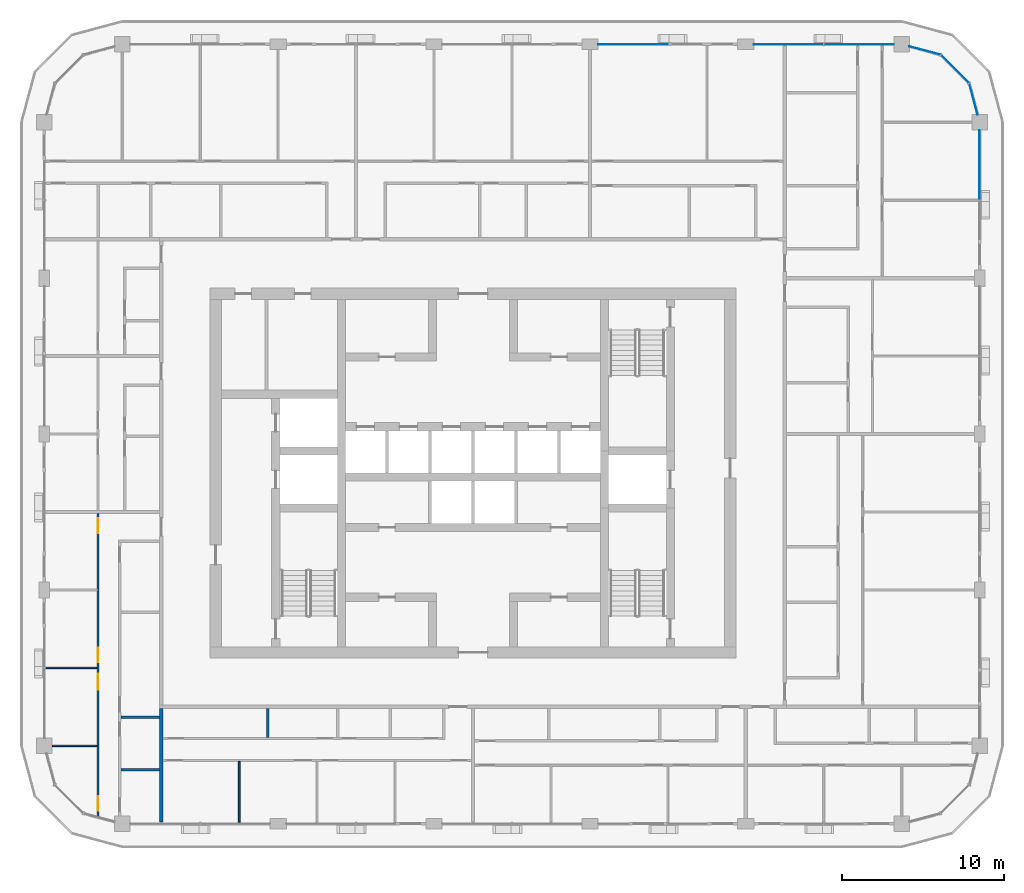
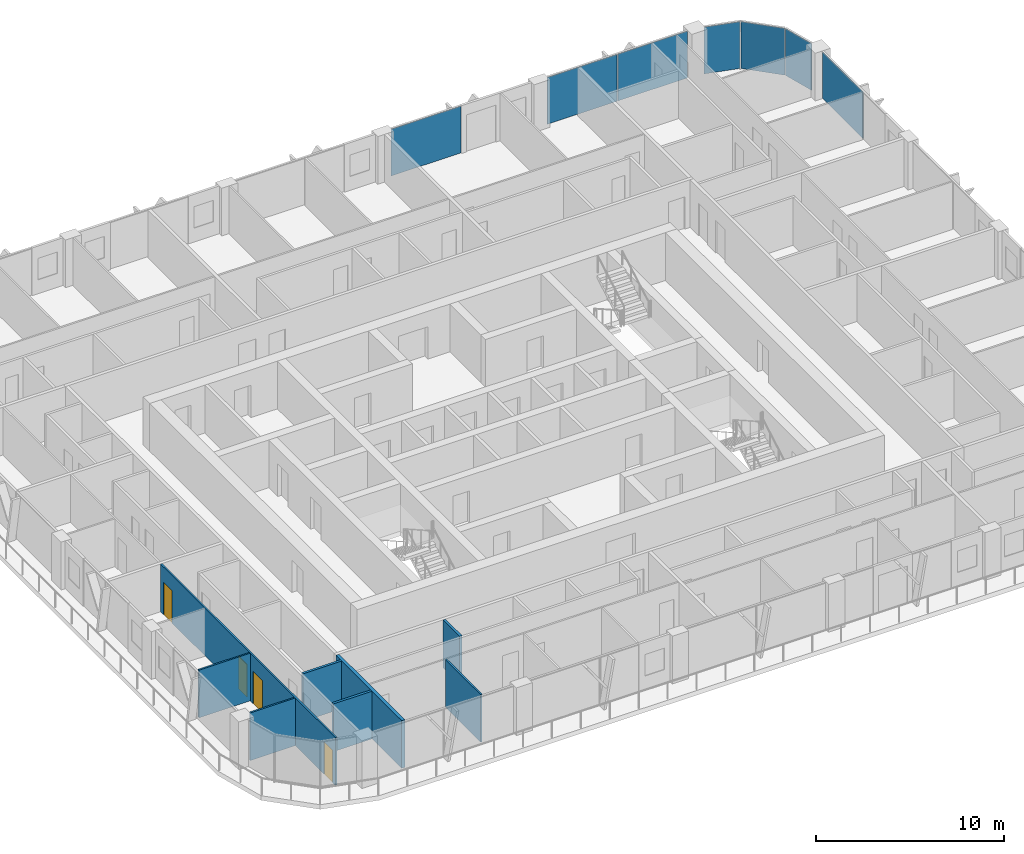
# One storey, part 8 of 22: 8 walls, 7 plates, 4 doors, 4 openings, 4 elements without a shape of their own.
"""IFC4 building model written with IfcOpenShell, lengths in metres."""

import ifcopenshell
import ifcopenshell.guid

model = None  # the IFC model being written
_history = None  # IfcOwnerHistory: only IFC2X3 demands one
_inside = {}  # id of a spatial element -> (the spatial element, [elements in it])
_under = {}  # id of a project, library or spatial element -> (it, [spatial elements below it])
_declared = {}  # id of a project -> (the project, [libraries it declares])
_typed = {}  # id of a type object -> (the type object, [elements of that type])
_made_of = {}  # id of a material, layer set ... -> (it, [elements and type objects made of it])


def new_model(schema):
    """Start an empty IFC model of exactly this schema.

    Asked for "IFC4X3", IfcOpenShell would pick the latest addendum, in which some entities
    have other attributes; the version numbers below select the first issue.
    IFC2X3 requires an IfcOwnerHistory on every rooted entity: one is made here for all.
    """
    global model, _history
    if schema == "IFC4X3":
        model = ifcopenshell.file(schema_version=(4, 3, 0, 0))
    else:
        model = ifcopenshell.file(schema=schema)
    _inside.clear()
    _under.clear()
    _declared.clear()
    _typed.clear()
    _made_of.clear()
    _history = None
    if model.schema == "IFC2X3":
        org = make("IfcOrganization", Name="unknown")
        user = make(
            "IfcPersonAndOrganization",
            ThePerson=make("IfcPerson", FamilyName="unknown"),
            TheOrganization=org,
        )
        app = make(
            "IfcApplication",
            ApplicationDeveloper=org,
            Version="unknown",
            ApplicationFullName="unknown",
            ApplicationIdentifier="unknown",
        )
        _history = make(
            "IfcOwnerHistory",
            OwningUser=user,
            OwningApplication=app,
            ChangeAction="ADDED",
            CreationDate=0,
        )
    return model


def make(cls, **values):
    """One entity of the class cls with the attributes given. An attribute that is None is left unset."""
    return model.create_entity(
        cls, **{name: value for name, value in values.items() if value is not None}
    )


def rooted(cls, **values):
    """An entity with a GlobalId (a new one), such as an element, a storey or a relation."""
    return make(cls, GlobalId=ifcopenshell.guid.new(), OwnerHistory=_history, **values)


def si_unit(unit_type, name, prefix=None):
    """IfcSIUnit, for example si_unit("LENGTHUNIT", "METRE", prefix="MILLI")."""
    return make("IfcSIUnit", UnitType=unit_type, Prefix=prefix, Name=name)


def assignment(units):
    """IfcUnitAssignment: the units of a project."""
    return None if units is None else make("IfcUnitAssignment", Units=units)


def point(xyz):
    """IfcCartesianPoint."""
    return None if xyz is None else make("IfcCartesianPoint", Coordinates=xyz)


def direction(xyz):
    """IfcDirection."""
    return None if xyz is None else make("IfcDirection", DirectionRatios=xyz)


def frame(location, z_axis=None, x_axis=None):
    """IfcAxis2Placement3D, a coordinate frame: its origin and axes. An axis left out is left unset."""
    return make(
        "IfcAxis2Placement3D",
        Location=point(location),
        Axis=direction(z_axis),
        RefDirection=direction(x_axis),
    )


def frame_2d(location, x_axis=None):
    """IfcAxis2Placement2D, a coordinate frame in the plane: its origin and x axis."""
    return make(
        "IfcAxis2Placement2D", Location=point(location), RefDirection=direction(x_axis)
    )


def origin():
    """The frame at (0, 0, 0) with its axes left unset."""
    return frame((0.0, 0.0, 0.0))


def origin_2d():
    """The frame at (0, 0) in the plane with its x axis left unset."""
    return frame_2d((0.0, 0.0))


def place(relative_to, where):
    """IfcLocalPlacement: puts the frame where relative to a parent placement (None: the world)."""
    return make(
        "IfcLocalPlacement", PlacementRelTo=relative_to, RelativePlacement=where
    )


def context(
    kind, dimensions, precision=None, world=None, true_north=None, identifier=None
):
    """IfcGeometricRepresentationContext, for example the 3D "Model" context."""
    return make(
        "IfcGeometricRepresentationContext",
        ContextIdentifier=identifier,
        ContextType=kind,
        CoordinateSpaceDimension=dimensions,
        Precision=precision,
        WorldCoordinateSystem=world,
        TrueNorth=true_north,
    )


def subcontext(parent, identifier, kind, view, scale=None):
    """IfcGeometricRepresentationSubContext, for example "Body" below "Model"."""
    return make(
        "IfcGeometricRepresentationSubContext",
        ContextIdentifier=identifier,
        ContextType=kind,
        ParentContext=parent,
        TargetScale=scale,
        TargetView=view,
    )


def project(units=None, contexts=None):
    """IfcProject with its units and contexts."""
    return rooted(
        "IfcProject",
        Name="project",
        RepresentationContexts=contexts,
        UnitsInContext=assignment(units),
    )


def spatial(cls, under=None, at=None, **own):
    """A site, building, storey or space (cls), placed at a placement, below another one or the project."""
    s = rooted(cls, ObjectPlacement=at, **own)
    if under is not None:
        _under.setdefault(under.id(), (under, []))[1].append(s)
    return s


def profile(cls, at=None, kind="AREA", **sizes):
    """A parametric profile (cls). Its sizes go by their IFC names, for example OverallWidth=200.0."""
    return make(cls, ProfileType=kind, Position=at, **sizes)


def rectangle(**sizes):
    """IfcRectangleProfileDef."""
    return profile("IfcRectangleProfileDef", **sizes)


def extrude(swept, where, along, depth):
    """IfcExtrudedAreaSolid: the profile swept, set in the frame where, extruded along a direction by depth."""
    return make(
        "IfcExtrudedAreaSolid",
        SweptArea=swept,
        Position=where,
        ExtrudedDirection=direction(along),
        Depth=depth,
    )


def shape(context_of_items, identifier, shape_type, items):
    """IfcShapeRepresentation: the items that make up one representation, for example the "Body"."""
    return make(
        "IfcShapeRepresentation",
        ContextOfItems=context_of_items,
        RepresentationIdentifier=identifier,
        RepresentationType=shape_type,
        Items=items,
    )


def material(Name=None, Category=None):
    """IfcMaterial."""
    return make("IfcMaterial", Name=Name, Category=Category)


def layer(
    of_material, thickness, ventilated=None, Name=None, Category=None, Priority=None
):
    """IfcMaterialLayer: one layer of a wall or slab, of a material (None: an air gap)."""
    return make(
        "IfcMaterialLayer",
        Material=of_material,
        LayerThickness=thickness,
        IsVentilated=ventilated,
        Name=Name,
        Category=Category,
        Priority=Priority,
    )


def layer_set(layers, Name=None):
    """IfcMaterialLayerSet."""
    return make("IfcMaterialLayerSet", MaterialLayers=layers, LayerSetName=Name)


def made_of(thing, what):
    """Note that an element or type object is made of a material, layer set ...; save() writes the relation."""
    if what is not None:
        _made_of.setdefault(what.id(), (what, []))[1].append(thing)
    return thing


def type_object(cls, material=None, **own):
    """A type object (cls), such as IfcWallType, which elements share."""
    return made_of(rooted(cls, **own), material)


def element(
    cls,
    number,
    at=None,
    inside=None,
    cuts=None,
    type_object=None,
    material=None,
    context=None,
    identifier="Body",
    shape_type=None,
    held_by="IfcProductDefinitionShape",
    body=None,
    shapes=None,
    **own,
):
    """One element of the class cls, such as IfcWall. Its Tag is "e" and its number.

    at: its placement. inside: the storey or other place that contains it. cuts: it is an
    opening in that element (IfcRelVoidsElement). A single representation is given by context,
    identifier, shape_type and body (its items); several are given by shapes. held_by: the class
    of the entity that holds the representations. save() writes the other relations.
    """
    e = rooted(cls, Tag="e%d" % number, ObjectPlacement=at, **own)
    if body is not None:
        shapes = [shape(context, identifier, shape_type, body)]
    if shapes is not None:
        e.Representation = make(held_by, Representations=shapes)
    if inside is not None:
        _inside.setdefault(inside.id(), (inside, []))[1].append(e)
    if cuts is not None:
        rooted(
            "IfcRelVoidsElement", RelatingBuildingElement=cuts, RelatedOpeningElement=e
        )
    if type_object is not None:
        _typed.setdefault(type_object.id(), (type_object, []))[1].append(e)
    return made_of(e, material)


def fill(opening, filler):
    """IfcRelFillsElement: the door or window that sits in an opening."""
    return rooted(
        "IfcRelFillsElement",
        RelatingOpeningElement=opening,
        RelatedBuildingElement=filler,
    )


def aggregate(whole, parts):
    """IfcRelAggregates: a whole, such as a stair, and the parts it consists of."""
    return rooted("IfcRelAggregates", RelatingObject=whole, RelatedObjects=parts)


def save(model, path):
    """Write the relations noted so far, then the file.

    IfcRelAggregates (storeys below a building ...), IfcRelContainedInSpatialStructure (elements
    in a storey), IfcRelDefinesByType, IfcRelAssociatesMaterial and IfcRelDeclares: one each for
    every whole, place, type object, material and project.
    """
    for whole, parts in _under.values():
        aggregate(whole, parts)
    for where, things in _inside.values():
        rooted(
            "IfcRelContainedInSpatialStructure",
            RelatedElements=things,
            RelatingStructure=where,
        )
    for kind, things in _typed.values():
        rooted("IfcRelDefinesByType", RelatedObjects=things, RelatingType=kind)
    for what, things in _made_of.values():
        rooted("IfcRelAssociatesMaterial", RelatedObjects=things, RelatingMaterial=what)
    for by, libraries in _declared.values():
        rooted("IfcRelDeclares", RelatingContext=by, RelatedDefinitions=libraries)
    model.write(path)


model = new_model("IFC4")

# Units and contexts
model_context = context("Model", 3, precision=1e-05, world=origin(), true_north=direction((0.0, 1.0)))
body_context = subcontext(model_context, "Body", "Model", "MODEL_VIEW")
ifc_project = project(units=[si_unit("LENGTHUNIT", "METRE"), si_unit("AREAUNIT", "SQUARE_METRE"), si_unit("VOLUMEUNIT", "CUBIC_METRE"), si_unit("PLANEANGLEUNIT", "RADIAN"), si_unit("MASSUNIT", "GRAM", prefix="KILO")], contexts=[model_context])

# Site, building, storey
site_placement = place(None, origin())
site = spatial("IfcSite", under=ifc_project, at=site_placement, CompositionType="ELEMENT")
building_placement = place(site_placement, origin())
building = spatial("IfcBuilding", under=site, at=building_placement, Name="Madar Terraces", CompositionType="ELEMENT")
storey_placement = place(building_placement, frame((0.0, 0.0, 229.800048828125)))
storey = spatial("IfcBuildingStorey", under=building, at=storey_placement, Name="L60", CompositionType="ELEMENT", Elevation=229.800048828125)

# Curtain wall, plate
ifc_material_1 = material(Name="Glass, ceramic frit dark grey, with black aluminium frame", Category="aluminium")
ifc_layer_1 = layer(ifc_material_1, 0.199951171875)
ifc_layer_set_1 = layer_set([ifc_layer_1], Name="Facade curtain wall, fritted glass")
curtain_wall_type = type_object("IfcCurtainWallType", Name="Facade curtain wall, fritted glass", PredefinedType="NOTDEFINED", material=ifc_layer_set_1)
curtain_wall_1_placement = place(storey_placement, origin())
curtain_wall_1 = element("IfcCurtainWall", 1, at=curtain_wall_1_placement, inside=storey, type_object=curtain_wall_type, Name="Outer skin curtain wall east bay 4", PredefinedType="NOTDEFINED")
ifc_material_2 = material(Name="Glass, ceramic frit dark grey", Category="glass")
ifc_layer_2 = layer(ifc_material_2, 0.028076171875)
ifc_layer_set_2 = layer_set([ifc_layer_2], Name="Facade glass panel 28")
plate_type = type_object("IfcPlateType", Name="Facade glass panel 28", PredefinedType="CURTAIN_PANEL", material=ifc_layer_set_2)
plate_1_placement = place(storey_placement, frame((62.39990234375, 45.37744140625, 0.0), z_axis=(0.0, 0.0, 1.0), x_axis=(0.0, 1.0, 0.0)))
plate_1 = element("IfcPlate", 2, at=plate_1_placement, type_object=plate_type, Name="Panel 2", PredefinedType="CURTAIN_PANEL", context=body_context, shape_type="SweptSolid", body=[
    extrude(rectangle(XDim=4.294921875, YDim=0.028076171875, at=origin_2d()), origin(), (0.0, 0.0, 1.0), 3.0400390625),
])
aggregate(curtain_wall_1, [plate_1])

# Curtain wall, plates
curtain_wall_2_placement = place(storey_placement, origin())
curtain_wall_2 = element("IfcCurtainWall", 3, at=curtain_wall_2_placement, inside=storey, type_object=curtain_wall_type, Name="Outer skin curtain wall north bay 1", PredefinedType="NOTDEFINED")
plate_2_placement = place(storey_placement, frame((54.9775390625, 52.800048828125, 0.0), z_axis=(0.0, 0.0, 1.0), x_axis=(-1.0, 0.0, 0.0)))
plate_2 = element("IfcPlate", 4, at=plate_2_placement, type_object=plate_type, Name="Panel 1", PredefinedType="CURTAIN_PANEL", context=body_context, shape_type="SweptSolid", body=[
    extrude(rectangle(XDim=4.294921875, YDim=0.028076171875, at=origin_2d()), origin(), (0.0, 0.0, 1.0), 3.0400390625),
])
plate_3_placement = place(storey_placement, frame((50.635009765625, 52.800048828125, 0.0), z_axis=(0.0, 0.0, 1.0), x_axis=(-1.0, 0.0, 0.0)))
plate_3 = element("IfcPlate", 5, at=plate_3_placement, type_object=plate_type, Name="Panel 2", PredefinedType="CURTAIN_PANEL", context=body_context, shape_type="SweptSolid", body=[
    extrude(rectangle(XDim=4.27001953125, YDim=0.028076171875, at=origin_2d()), origin(), (0.0, 0.0, 1.0), 3.0400390625),
])
aggregate(curtain_wall_2, [plate_2, plate_3])

# Curtain wall, plate
curtain_wall_3_placement = place(storey_placement, origin())
curtain_wall_3 = element("IfcCurtainWall", 6, at=curtain_wall_3_placement, inside=storey, type_object=curtain_wall_type, Name="Outer skin curtain wall north bay 2", PredefinedType="NOTDEFINED")
plate_4_placement = place(storey_placement, frame((41.050048828125, 52.800048828125, 0.0), z_axis=(0.0, 0.0, 1.0), x_axis=(-1.0, 0.0, 0.0)))
plate_4 = element("IfcPlate", 7, at=plate_4_placement, type_object=plate_type, Name="Panel 1", PredefinedType="CURTAIN_PANEL", context=body_context, shape_type="SweptSolid", body=[
    extrude(rectangle(XDim=4.300048828125, YDim=0.028076171875, at=origin_2d()), origin(), (0.0, 0.0, 1.0), 3.0400390625),
])
aggregate(curtain_wall_3, [plate_4])

# Curtain wall, plates
curtain_wall_4_placement = place(storey_placement, origin())
curtain_wall_4 = element("IfcCurtainWall", 8, at=curtain_wall_4_placement, inside=storey, type_object=curtain_wall_type, Name="Outer skin curtain wall north-east corner", PredefinedType="NOTDEFINED")
plate_5_placement = place(storey_placement, frame((62.018798828125, 49.423095703125, 0.0), z_axis=(0.0, 0.0, 1.0), x_axis=(-0.258819021888, 0.965925832509, 0.0)))
plate_5 = element("IfcPlate", 9, at=plate_5_placement, type_object=plate_type, Name="Panel 1", PredefinedType="CURTAIN_PANEL", context=body_context, shape_type="SweptSolid", body=[
    extrude(rectangle(XDim=1.962890625, YDim=0.028076171875, at=origin_2d()), origin(), (0.0, 0.0, 1.0), 3.0400390625),
])
plate_6_placement = place(storey_placement, frame((60.87841796875, 51.278564453125, 0.0), z_axis=(0.0, 0.0, 1.0), x_axis=(-0.707106781187, 0.707106781187, 0.0)))
plate_6 = element("IfcPlate", 10, at=plate_6_placement, type_object=plate_type, Name="Panel 2", PredefinedType="CURTAIN_PANEL", context=body_context, shape_type="SweptSolid", body=[
    extrude(rectangle(XDim=2.424560546875, YDim=0.028076171875, at=origin_2d()), origin(), (0.0, 0.0, 1.0), 3.0400390625),
])
plate_7_placement = place(storey_placement, frame((59.02294921875, 52.418701171875, 0.0), z_axis=(0.0, 0.0, 1.0), x_axis=(-0.965925832509, 0.258819021888, 0.0)))
plate_7 = element("IfcPlate", 11, at=plate_7_placement, type_object=plate_type, Name="Panel 3", PredefinedType="CURTAIN_PANEL", context=body_context, shape_type="SweptSolid", body=[
    extrude(rectangle(XDim=1.962890625, YDim=0.028076171875, at=origin_2d()), origin(), (0.0, 0.0, 1.0), 3.0400390625),
])
aggregate(curtain_wall_4, [plate_5, plate_6, plate_7])

# Walls
ifc_material_3 = material(Name="Gypsum board on steel studs", Category="steel")
ifc_layer_3 = layer(ifc_material_3, 0.10009765625)
ifc_layer_set_3 = layer_set([ifc_layer_3], Name="Flat partition 100")
wall_type_1 = type_object("IfcWallType", Name="Flat partition 100", PredefinedType="PARTITIONING", material=ifc_layer_set_3)
wall_1_placement = place(storey_placement, frame((16.800048828125, 8.64990234375, 0.0), z_axis=(0.0, 0.0, 1.0), x_axis=(0.0, -1.0, 0.0)))
element("IfcWall", 12, at=wall_1_placement, inside=storey, type_object=wall_type_1, Name="Flat partition 100", PredefinedType="PARTITIONING", context=body_context, shape_type="SweptSolid", body=[
    extrude(rectangle(XDim=3.75, YDim=0.10009765625, at=frame_2d((1.875, 0.0))), origin(), (0.0, 0.0, 1.0), 3.099853515625),
])
wall_2_placement = place(storey_placement, frame((8.050048828125, 14.39990234375, 0.0), z_axis=(0.0, 0.0, 1.0), x_axis=(-1.0, 0.0, 0.0)))
element("IfcWall", 13, at=wall_2_placement, inside=storey, type_object=wall_type_1, Name="Flat partition 100", PredefinedType="PARTITIONING", context=body_context, shape_type="SweptSolid", body=[
    extrude(rectangle(XDim=3.150146484375, YDim=0.10009765625, at=frame_2d((1.5751953125, 0.0))), origin(), (0.0, 0.0, 1.0), 3.099853515625),
])
wall_3_placement = place(storey_placement, frame((8.050048828125, 9.60009765625, 0.0), z_axis=(0.0, 0.0, 1.0), x_axis=(-1.0, 0.0, 0.0)))
element("IfcWall", 14, at=wall_3_placement, inside=storey, type_object=wall_type_1, Name="Flat partition 100", PredefinedType="PARTITIONING", context=body_context, shape_type="SweptSolid", body=[
    extrude(rectangle(XDim=2.775146484375, YDim=0.10009765625, at=frame_2d((1.3876953125, 0.0))), origin(), (0.0, 0.0, 1.0), 3.099853515625),
])

# Wall, openings, doors
wall_4_placement = place(storey_placement, frame((8.10009765625, 5.302001953125, 0.0), z_axis=(0.0, 0.0, 1.0), x_axis=(0.0, 1.0, 0.0)))
wall_4 = element("IfcWall", 15, at=wall_4_placement, inside=storey, type_object=wall_type_1, Name="Flat partition 100", PredefinedType="PARTITIONING", context=body_context, shape_type="SweptSolid", body=[
    extrude(rectangle(XDim=18.597900390625, YDim=0.10009765625, at=frame_2d((9.298828125, 0.0))), origin(), (0.0, 0.0, 1.0), 3.099853515625),
])
opening_1_placement = place(wall_4_placement, frame((17.398193359375, 0.0, 0.0)))
opening_1 = element("IfcOpeningElement", 16, at=opening_1_placement, cuts=wall_4, Name="Opening D2", PredefinedType="OPENING", context=body_context, shape_type="SweptSolid", body=[
    extrude(rectangle(XDim=0.89990234375, YDim=2.10009765625, at=frame_2d((0.449951171875, 1.050048828125))), frame((0.0, 0.06005859375, 0.0), z_axis=(0.0, -1.0, 0.0), x_axis=(1.0, 0.0, 0.0)), (0.0, 0.0, 1.0), 0.1201171875),
])
opening_2_placement = place(wall_4_placement, frame((9.447998046875, 0.0, 0.0)))
opening_2 = element("IfcOpeningElement", 17, at=opening_2_placement, cuts=wall_4, Name="Opening D2", PredefinedType="OPENING", context=body_context, shape_type="SweptSolid", body=[
    extrude(rectangle(XDim=0.89990234375, YDim=2.10009765625, at=frame_2d((0.449951171875, 1.050048828125))), frame((0.0, 0.06005859375, 0.0), z_axis=(0.0, -1.0, 0.0), x_axis=(1.0, 0.0, 0.0)), (0.0, 0.0, 1.0), 0.1201171875),
])
opening_3_placement = place(wall_4_placement, frame((7.748046875, 0.0, 0.0)))
opening_3 = element("IfcOpeningElement", 18, at=opening_3_placement, cuts=wall_4, Name="Opening D3", PredefinedType="OPENING", context=body_context, shape_type="SweptSolid", body=[
    extrude(rectangle(XDim=1.0, YDim=2.10009765625, at=frame_2d((0.5, 1.050048828125))), frame((0.0, 0.06005859375, 0.0), z_axis=(0.0, -1.0, 0.0), x_axis=(1.0, 0.0, 0.0)), (0.0, 0.0, 1.0), 0.1201171875),
])
opening_4_placement = place(wall_4_placement, frame((0.300048828125, 0.0, 0.0)))
opening_4 = element("IfcOpeningElement", 19, at=opening_4_placement, cuts=wall_4, Name="Opening D2", PredefinedType="OPENING", context=body_context, shape_type="SweptSolid", body=[
    extrude(rectangle(XDim=0.89990234375, YDim=2.10009765625, at=frame_2d((0.449951171875, 1.050048828125))), frame((0.0, 0.06005859375, 0.0), z_axis=(0.0, -1.0, 0.0), x_axis=(1.0, 0.0, 0.0)), (0.0, 0.0, 1.0), 0.1201171875),
])
ifc_material_4 = material(Name="Timber door leaf", Category="wood")
door_type_1 = type_object("IfcDoorType", Name="Flat living room door 1000", OperationType="NOTDEFINED", PredefinedType="DOOR", material=ifc_material_4)
door_1_placement = place(opening_3_placement, origin())
door_1 = element("IfcDoor", 20, at=door_1_placement, inside=storey, type_object=door_type_1, Name="Flat living room door 1000", OperationType="SINGLE_SWING_RIGHT", OverallHeight=2.10009765625, OverallWidth=1.0, PredefinedType="DOOR", context=body_context, shape_type="SweptSolid", body=[
    extrude(rectangle(XDim=1.0, YDim=2.10009765625, at=frame_2d((0.5, 1.050048828125))), frame((0.0, 0.02490234375, 0.0), z_axis=(0.0, -1.0, 0.0), x_axis=(1.0, 0.0, 0.0)), (0.0, 0.0, 1.0), 0.050048828125),
])
fill(opening_3, door_1)
ifc_material_5 = material(Name="Timber door leaf", Category="wood")
door_type_2 = type_object("IfcDoorType", Name="Flat room door 900", OperationType="NOTDEFINED", PredefinedType="DOOR", material=ifc_material_5)
door_2_placement = place(opening_1_placement, origin())
door_2 = element("IfcDoor", 21, at=door_2_placement, inside=storey, type_object=door_type_2, Name="Flat room door 900", OperationType="SINGLE_SWING_RIGHT", OverallHeight=2.10009765625, OverallWidth=0.89990234375, PredefinedType="DOOR", context=body_context, shape_type="SweptSolid", body=[
    extrude(rectangle(XDim=0.89990234375, YDim=2.10009765625, at=frame_2d((0.449951171875, 1.050048828125))), frame((0.0, 0.02490234375, 0.0), z_axis=(0.0, -1.0, 0.0), x_axis=(1.0, 0.0, 0.0)), (0.0, 0.0, 1.0), 0.050048828125),
])
fill(opening_1, door_2)
door_3_placement = place(opening_2_placement, origin())
door_3 = element("IfcDoor", 22, at=door_3_placement, inside=storey, type_object=door_type_2, Name="Flat room door 900", OperationType="SINGLE_SWING_LEFT", OverallHeight=2.10009765625, OverallWidth=0.89990234375, PredefinedType="DOOR", context=body_context, shape_type="SweptSolid", body=[
    extrude(rectangle(XDim=0.89990234375, YDim=2.10009765625, at=frame_2d((0.449951171875, 1.050048828125))), frame((0.0, 0.02490234375, 0.0), z_axis=(0.0, -1.0, 0.0), x_axis=(1.0, 0.0, 0.0)), (0.0, 0.0, 1.0), 0.050048828125),
])
fill(opening_2, door_3)
door_4_placement = place(opening_4_placement, origin())
door_4 = element("IfcDoor", 23, at=door_4_placement, inside=storey, type_object=door_type_2, Name="Flat room door 900", OperationType="SINGLE_SWING_LEFT", OverallHeight=2.10009765625, OverallWidth=0.89990234375, PredefinedType="DOOR", context=body_context, shape_type="SweptSolid", body=[
    extrude(rectangle(XDim=0.89990234375, YDim=2.10009765625, at=frame_2d((0.449951171875, 1.050048828125))), frame((0.0, 0.02490234375, 0.0), z_axis=(0.0, -1.0, 0.0), x_axis=(1.0, 0.0, 0.0)), (0.0, 0.0, 1.0), 0.050048828125),
])
fill(opening_4, door_4)

# Walls
ifc_material_6 = material(Name="Lightweight blockwork", Category="masonry")
ifc_layer_4 = layer(ifc_material_6, 0.199951171875)
ifc_layer_set_4 = layer_set([ifc_layer_4], Name="Flat party and entrance wall 200")
wall_type_2 = type_object("IfcWallType", Name="Flat party and entrance wall 200", PredefinedType="PARTITIONING", material=ifc_layer_set_4)
wall_5_placement = place(storey_placement, frame((12.0, 4.89990234375, 0.0), z_axis=(0.0, 0.0, 1.0), x_axis=(0.0, 1.0, 0.0)))
element("IfcWall", 24, at=wall_5_placement, inside=storey, type_object=wall_type_2, Name="Flat party and entrance wall 200", PredefinedType="PARTITIONING", context=body_context, shape_type="SweptSolid", body=[
    extrude(rectangle(XDim=7.0, YDim=0.199951171875, at=frame_2d((3.5, 0.0))), origin(), (0.0, 0.0, 1.0), 3.099853515625),
])
ifc_material_7 = material(Name="Lightweight blockwork", Category="masonry")
ifc_layer_5 = layer(ifc_material_7, 0.14990234375)
ifc_layer_set_5 = layer_set([ifc_layer_5], Name="Flat wet-room partition 150")
wall_type_3 = type_object("IfcWallType", Name="Flat wet-room partition 150", PredefinedType="PARTITIONING", material=ifc_layer_set_5)
wall_6_placement = place(storey_placement, frame((18.559326171875, 11.89990234375, 0.0), z_axis=(0.0, 0.0, 1.0), x_axis=(0.0, -1.0, 0.0)))
element("IfcWall", 25, at=wall_6_placement, inside=storey, type_object=wall_type_3, Name="Flat wet-room partition 150", PredefinedType="PARTITIONING", context=body_context, shape_type="SweptSolid", body=[
    extrude(rectangle(XDim=1.77490234375, YDim=0.14990234375, at=frame_2d((0.887451171875, 0.0))), origin(), (0.0, 0.0, 1.0), 3.099853515625),
])
for number, where, z_axis, x_axis, name in (
    (26, (11.89990234375, 11.359375, 0.0), (0.0, 0.0, 1.0), (-1.0, 0.0, 0.0), "Flat wet-room partition 150"),
    (27, (11.89990234375, 8.129638671875, 0.0), (0.0, 0.0, 1.0), (-1.0, 0.0, 0.0), "Flat wet-room partition 150"),
):
    element("IfcWall", number, at=place(storey_placement, frame(where, z_axis=z_axis, x_axis=x_axis)), inside=storey, type_object=wall_type_3, Name=name, PredefinedType="PARTITIONING", context=body_context, shape_type="SweptSolid", body=[
        extrude(rectangle(XDim=2.375, YDim=0.14990234375, at=frame_2d((1.1875, 0.0))), origin(), (0.0, 0.0, 1.0), 3.099853515625),
    ])

save(model, "model.ifc")
